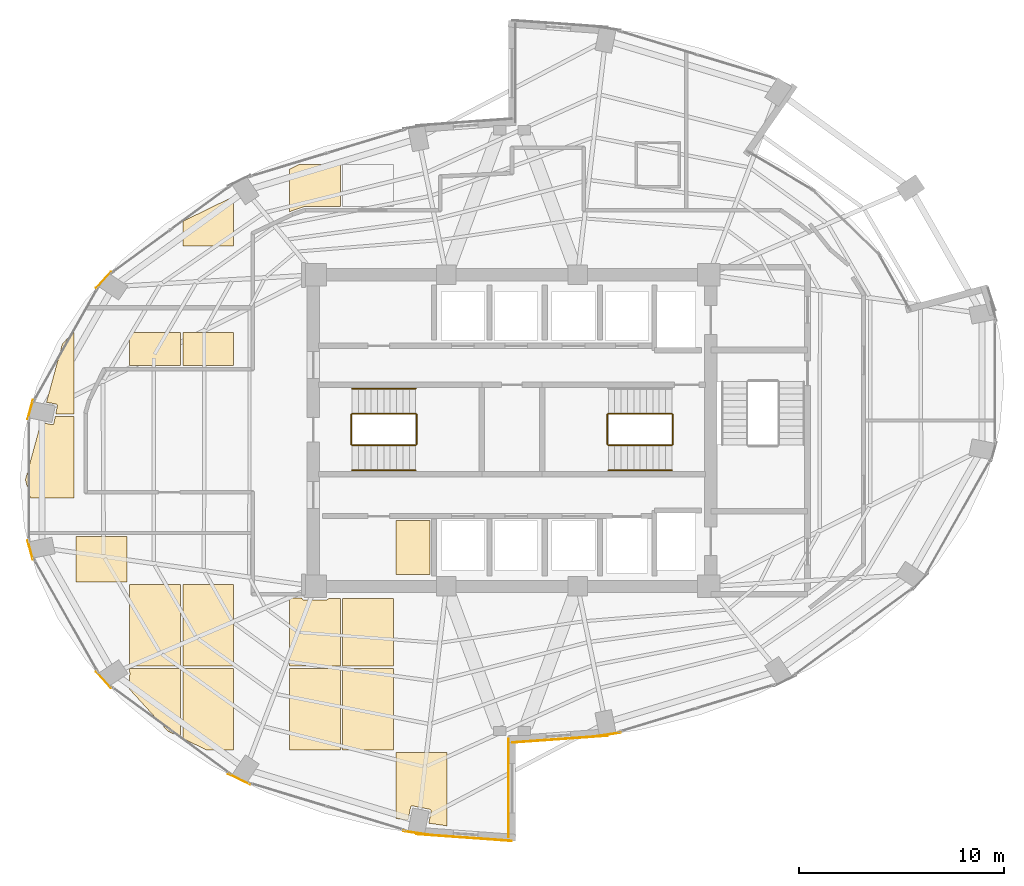
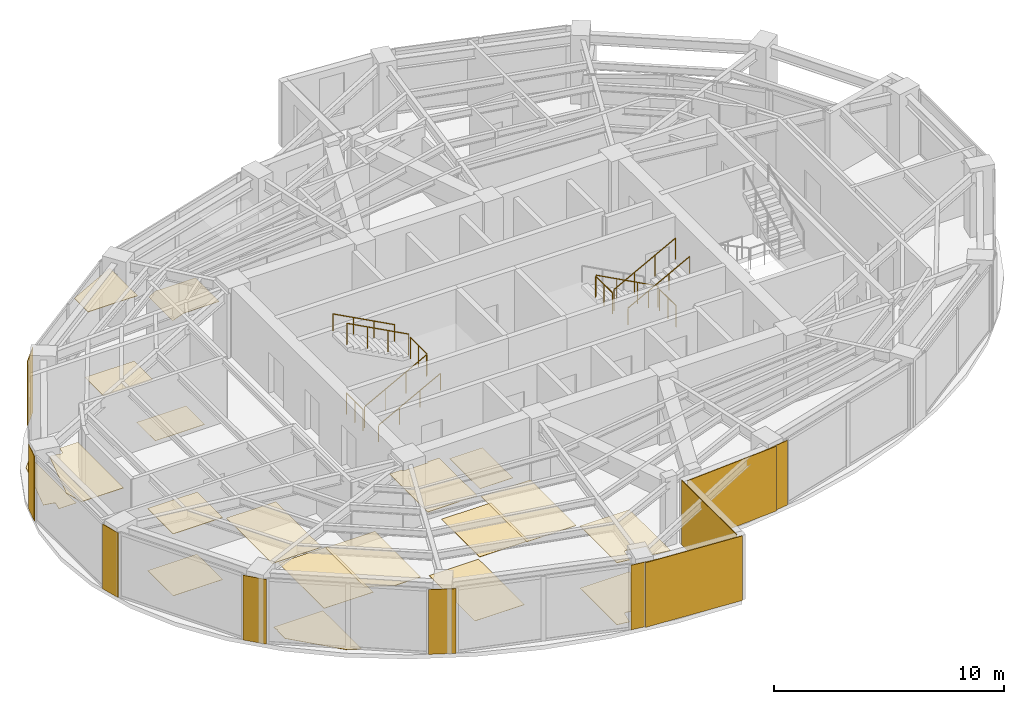
# One storey, part 18 of 19: 29 coverings, 11 railings.
"""IFC4 building model written with IfcOpenShell, lengths in metres."""

from ifc_helpers import new_model, si_unit, direction, frame, origin, origin_2d, place, context, subcontext, project, spatial, polyline, rectangle, circle, outline, extrude, material, layer, layer_set, type_object, element, save


model = new_model("IFC4")

# Units and contexts
model_context = context("Model", 3, precision=1e-05, world=origin(), true_north=direction((0.0, 1.0)))
body_context = subcontext(model_context, "Body", "Model", "MODEL_VIEW")
ifc_project = project(units=[si_unit("LENGTHUNIT", "METRE"), si_unit("AREAUNIT", "SQUARE_METRE"), si_unit("VOLUMEUNIT", "CUBIC_METRE"), si_unit("PLANEANGLEUNIT", "RADIAN"), si_unit("MASSUNIT", "GRAM", prefix="KILO")], contexts=[model_context])

# Site, building, storey
site_placement = place(None, origin())
site = spatial("IfcSite", under=ifc_project, at=site_placement, CompositionType="ELEMENT")
building_placement = place(site_placement, origin())
building = spatial("IfcBuilding", under=site, at=building_placement, Name="Lazwardi Medical Tower", CompositionType="ELEMENT")
storey_placement = place(building_placement, frame((0.0, 0.0, 171.1201171875)))
storey = spatial("IfcBuildingStorey", under=building, at=storey_placement, Name="L44", CompositionType="ELEMENT", Elevation=171.1201171875)

# Coverings
ifc_material_1 = material(Name="Anodised bronze aluminium cassette cladding", Category="aluminium")
ifc_layer_1 = layer(ifc_material_1, 0.030029296875)
ifc_layer_set_1 = layer_set([ifc_layer_1], Name="Anodised bronze aluminium cassette cladding")
covering_type_1 = type_object("IfcCoveringType", Name="COV-CLD-BRZ", PredefinedType="CLADDING", material=ifc_layer_set_1)
covering_1_placement = place(storey_placement, frame((40.67431640625, 13.17578125, 0.0), z_axis=(0.0, 0.0, 1.0), x_axis=(0.989539138138, 0.144264666823, 0.0)))
element("IfcCovering", 1, at=covering_1_placement, inside=storey, type_object=covering_type_1, Name="L44 Mega-column bronze cassette cover M01", PredefinedType="CLADDING", context=body_context, shape_type="SweptSolid", body=[
    extrude(rectangle(XDim=1.28515625, YDim=0.030029296875, at=origin_2d()), origin(), (0.0, 0.0, 1.0), 3.427978515625),
])
covering_2_placement = place(storey_placement, frame((16.07861328125, 35.356689453125, 0.0), z_axis=(0.0, 0.0, 1.0), x_axis=(-0.673714459537, -0.738991763832, 0.0)))
element("IfcCovering", 2, at=covering_2_placement, inside=storey, type_object=covering_type_1, Name="L44 Mega-column bronze cassette cover M11", PredefinedType="CLADDING", context=body_context, shape_type="SweptSolid", body=[
    extrude(rectangle(XDim=1.0693359375, YDim=0.030029296875, at=origin_2d()), origin(), (0.0, 0.0, 1.0), 3.427978515625),
])
for number, where, z_axis, x_axis, name in (
    (3, (12.501220703125, 29.026123046875, 0.0), (0.0, 0.0, 1.0), (-0.261828726257, -0.965114354938, 0.0), "L44 Mega-column bronze cassette cover M12"),
    (4, (12.501220703125, 22.173828125, 0.0), (0.0, 0.0, 1.0), (0.261828726257, -0.965114354938, 0.0), "L44 Mega-column bronze cassette cover M13"),
):
    element("IfcCovering", number, at=place(storey_placement, frame(where, z_axis=z_axis, x_axis=x_axis)), inside=storey, type_object=covering_type_1, Name=name, PredefinedType="CLADDING", context=body_context, shape_type="SweptSolid", body=[
        extrude(rectangle(XDim=0.9658203125, YDim=0.030029296875, at=origin_2d()), origin(), (0.0, 0.0, 1.0), 3.427978515625),
    ])
covering_3_placement = place(storey_placement, frame((16.07861328125, 15.84326171875, 0.0), z_axis=(0.0, 0.0, 1.0), x_axis=(0.673714459537, -0.738991763832, 0.0)))
element("IfcCovering", 5, at=covering_3_placement, inside=storey, type_object=covering_type_1, Name="L44 Mega-column bronze cassette cover M14", PredefinedType="CLADDING", context=body_context, shape_type="SweptSolid", body=[
    extrude(rectangle(XDim=1.0693359375, YDim=0.030029296875, at=origin_2d()), origin(), (0.0, 0.0, 1.0), 3.427978515625),
])
covering_4_placement = place(storey_placement, frame((22.68896484375, 10.998046875, 0.0), z_axis=(0.0, 0.0, 1.0), x_axis=(0.898079014814, -0.439834154144, 0.0)))
element("IfcCovering", 6, at=covering_4_placement, inside=storey, type_object=covering_type_1, Name="L44 Mega-column bronze cassette cover M15", PredefinedType="CLADDING", context=body_context, shape_type="SweptSolid", body=[
    extrude(rectangle(XDim=1.200439453125, YDim=0.030029296875, at=origin_2d()), origin(), (0.0, 0.0, 1.0), 3.427978515625),
])
covering_5_placement = place(storey_placement, frame((31.32568359375, 8.3759765625, 0.0), z_axis=(0.0, 0.0, 1.0), x_axis=(0.989539138138, -0.144264666823, 0.0)))
element("IfcCovering", 7, at=covering_5_placement, inside=storey, type_object=covering_type_1, Name="L44 Mega-column bronze cassette cover M16", PredefinedType="CLADDING", context=body_context, shape_type="SweptSolid", body=[
    extrude(rectangle(XDim=1.28515625, YDim=0.030029296875, at=origin_2d()), origin(), (0.0, 0.0, 1.0), 3.427978515625),
])
ifc_material_2 = material(Name="Turquoise glazed ceramic tilework cladding", Category="masonry")
ifc_layer_2 = layer(ifc_material_2, 0.034912109375)
ifc_layer_set_2 = layer_set([ifc_layer_2], Name="Turquoise glazed ceramic tilework cladding")
covering_type_2 = type_object("IfcCoveringType", Name="COV-CLD-TRQ", PredefinedType="CLADDING", material=ifc_layer_set_2)
covering_6_placement = place(storey_placement, frame((38.338134765625, 12.952392578125, 0.0), z_axis=(0.0, 0.0, 1.0), x_axis=(0.997414510753, 0.071863020663, 0.0)))
element("IfcCovering", 8, at=covering_6_placement, inside=storey, type_object=covering_type_2, Name="L44 Turquoise glazed ceramic tilework cladding", PredefinedType="CLADDING", context=body_context, shape_type="SweptSolid", body=[
    extrude(rectangle(XDim=4.6630859375, YDim=0.034912109375, at=origin_2d()), origin(), (0.0, 0.0, 1.0), 3.427978515625),
])
covering_7_placement = place(storey_placement, frame((33.66162109375, 8.152587890625, 0.0), z_axis=(0.0, 0.0, 1.0), x_axis=(0.997414134466, -0.071868243112, 0.0)))
element("IfcCovering", 9, at=covering_7_placement, inside=storey, type_object=covering_type_2, Name="L44 Turquoise glazed ceramic tilework cladding", PredefinedType="CLADDING", context=body_context, shape_type="SweptSolid", body=[
    extrude(rectangle(XDim=4.66259765625, YDim=0.034912109375, at=origin_2d()), origin(), (0.0, 0.0, 1.0), 3.427978515625),
])
covering_8_placement = place(storey_placement, frame((35.824462890625, 10.56005859375, 0.0), z_axis=(0.0, 0.0, 1.0), x_axis=(0.0, 1.0, 0.0)))
element("IfcCovering", 10, at=covering_8_placement, inside=storey, type_object=covering_type_2, Name="L44 Turquoise glazed ceramic tilework iwan panel", PredefinedType="CLADDING", context=body_context, shape_type="SweptSolid", body=[
    extrude(rectangle(XDim=4.800048828125, YDim=0.034912109375, at=origin_2d()), origin(), (0.0, 0.0, 1.0), 3.427978515625),
])
ifc_material_3 = material(Name="Acoustic mineral fibre tile")
ifc_layer_3 = layer(ifc_material_3, 0.02490234375)
ifc_layer_set_3 = layer_set([ifc_layer_3], Name="Acoustic mineral fibre tile")
covering_type_3 = type_object("IfcCoveringType", Name="COV-CLG-01", PredefinedType="CEILING", material=ifc_layer_set_3)
covering_9_placement = place(storey_placement, frame((0.0, 0.0, 3.282958984375)))
element("IfcCovering", 11, at=covering_9_placement, inside=storey, type_object=covering_type_3, Name="L44 Clinical Acoustic Ceiling 1", PredefinedType="CEILING", context=body_context, shape_type="SweptSolid", body=[
    extrude(outline(polyline([(13.71875, 28.6923828125), (13.65234375, 28.3583984375), (13.650390625, 28.3505859375), (13.647705078125, 28.34326171875), (13.644287109375, 28.336181640625), (13.640380859375, 28.32958984375), (13.635498046875, 28.322998046875), (13.63037109375, 28.3173828125), (13.62451171875, 28.31201171875), (13.6181640625, 28.307373046875), (13.611572265625, 28.30322265625), (13.6044921875, 28.300048828125), (13.596923828125, 28.29736328125), (13.58935546875, 28.29541015625), (13.58154296875, 28.294189453125), (13.57373046875, 28.2939453125), (13.56591796875, 28.294189453125), (13.55810546875, 28.29541015625), (13.02490234375, 28.401611328125), (12.262939453125, 25.60009765625), (12.50439453125, 24.71240234375), (14.622802734375, 24.71240234375), (14.622802734375, 28.6923828125), (13.71875, 28.6923828125)])), origin(), (0.0, 0.0, 1.0), 0.02490234375),
])
covering_10_placement = place(storey_placement, frame((0.0, 0.0, 3.282958984375)))
element("IfcCovering", 12, at=covering_10_placement, inside=storey, type_object=covering_type_3, Name="L44 Clinical Acoustic Ceiling 2", PredefinedType="CEILING", context=body_context, shape_type="SweptSolid", body=[
    extrude(outline(polyline([(17.222900390625, 22.8349609375), (14.742919921875, 22.8349609375), (14.742919921875, 20.612548828125), (17.222900390625, 20.612548828125), (17.222900390625, 22.8349609375)])), origin(), (0.0, 0.0, 1.0), 0.02490234375),
])
covering_11_placement = place(storey_placement, frame((0.0, 0.0, 3.282958984375)))
element("IfcCovering", 13, at=covering_11_placement, inside=storey, type_object=covering_type_3, Name="L44 Clinical Acoustic Ceiling 3", PredefinedType="CEILING", context=body_context, shape_type="SweptSolid", body=[
    extrude(outline(polyline([(19.822998046875, 16.512451171875), (19.822998046875, 20.492431640625), (17.343017578125, 20.492431640625), (17.343017578125, 16.512451171875), (19.822998046875, 16.512451171875)])), origin(), (0.0, 0.0, 1.0), 0.02490234375),
])
covering_12_placement = place(storey_placement, frame((0.0, 0.0, 3.282958984375)))
element("IfcCovering", 14, at=covering_12_placement, inside=storey, type_object=covering_type_3, Name="L44 Clinical Acoustic Ceiling 4", PredefinedType="CEILING", context=body_context, shape_type="SweptSolid", body=[
    extrude(outline(polyline([(17.343017578125, 31.175048828125), (19.822998046875, 31.175048828125), (19.822998046875, 32.79248046875), (17.343017578125, 32.79248046875), (17.343017578125, 31.175048828125)])), origin(), (0.0, 0.0, 1.0), 0.02490234375),
])
covering_13_placement = place(storey_placement, frame((0.0, 0.0, 3.282958984375)))
element("IfcCovering", 15, at=covering_13_placement, inside=storey, type_object=covering_type_3, Name="L44 Clinical Acoustic Ceiling 5", PredefinedType="CEILING", context=body_context, shape_type="SweptSolid", body=[
    extrude(outline(polyline([(19.94287109375, 12.987060546875), (21.118896484375, 12.41259765625), (22.4228515625, 12.41259765625), (22.4228515625, 16.392578125), (19.94287109375, 16.392578125), (19.94287109375, 12.987060546875)])), origin(), (0.0, 0.0, 1.0), 0.02490234375),
])
covering_14_placement = place(storey_placement, frame((0.0, 0.0, 3.282958984375)))
element("IfcCovering", 16, at=covering_14_placement, inside=storey, type_object=covering_type_3, Name="L44 Clinical Acoustic Ceiling 6", PredefinedType="CEILING", context=body_context, shape_type="SweptSolid", body=[
    extrude(outline(polyline([(22.4228515625, 39.4248046875), (19.94287109375, 38.212890625), (19.94287109375, 37.012451171875), (22.4228515625, 37.012451171875), (22.4228515625, 39.4248046875)])), origin(), (0.0, 0.0, 1.0), 0.02490234375),
])
covering_15_placement = place(storey_placement, frame((0.0, 0.0, 3.282958984375)))
element("IfcCovering", 17, at=covering_15_placement, inside=storey, type_object=covering_type_3, Name="L44 Clinical Acoustic Ceiling 7", PredefinedType="CEILING", context=body_context, shape_type="SweptSolid", body=[
    extrude(outline(polyline([(27.622802734375, 19.820068359375), (27.04931640625, 19.820068359375), (27.048583984375, 19.814453125), (27.046630859375, 19.806884765625), (27.0439453125, 19.79931640625), (27.04052734375, 19.792236328125), (27.03662109375, 19.78564453125), (27.03173828125, 19.779296875), (27.026611328125, 19.7734375), (27.020751953125, 19.768310546875), (27.014404296875, 19.763427734375), (27.0078125, 19.759521484375), (27.00048828125, 19.756103515625), (26.9931640625, 19.75341796875), (26.985595703125, 19.75146484375), (26.977783203125, 19.75048828125), (26.969970703125, 19.75), (25.830078125, 19.75), (25.822265625, 19.75048828125), (25.814453125, 19.75146484375), (25.806884765625, 19.75341796875), (25.79931640625, 19.756103515625), (25.792236328125, 19.759521484375), (25.78564453125, 19.763427734375), (25.779296875, 19.768310546875), (25.7734375, 19.7734375), (25.768310546875, 19.779296875), (25.763427734375, 19.78564453125), (25.759521484375, 19.792236328125), (25.756103515625, 19.79931640625), (25.75341796875, 19.806884765625), (25.75146484375, 19.814453125), (25.75048828125, 19.822265625), (25.75, 19.830078125), (25.75, 19.844970703125), (25.142822265625, 19.844970703125), (25.142822265625, 16.512451171875), (27.622802734375, 16.512451171875), (27.622802734375, 19.820068359375)])), origin(), (0.0, 0.0, 1.0), 0.02490234375),
])
covering_16_placement = place(storey_placement, frame((0.0, 0.0, 3.282958984375)))
element("IfcCovering", 18, at=covering_16_placement, inside=storey, type_object=covering_type_3, Name="L44 Clinical Acoustic Ceiling 8", PredefinedType="CEILING", context=body_context, shape_type="SweptSolid", body=[
    extrude(outline(polyline([(30.222900390625, 12.41259765625), (30.222900390625, 16.392578125), (27.742919921875, 16.392578125), (27.742919921875, 12.41259765625), (30.222900390625, 12.41259765625)])), origin(), (0.0, 0.0, 1.0), 0.02490234375),
])
covering_17_placement = place(storey_placement, frame((0.0, 0.0, 3.282958984375)))
element("IfcCovering", 19, at=covering_17_placement, inside=storey, type_object=covering_type_3, Name="L44 Clinical Acoustic Ceiling 10", PredefinedType="CEILING", context=body_context, shape_type="SweptSolid", body=[
    extrude(outline(polyline([(30.343017578125, 9.083740234375), (30.92919921875, 8.99853515625), (31.0556640625, 9.63427734375), (31.0576171875, 9.641845703125), (31.060302734375, 9.6494140625), (31.0634765625, 9.656494140625), (31.067626953125, 9.6630859375), (31.072265625, 9.66943359375), (31.077392578125, 9.67529296875), (31.083251953125, 9.680419921875), (31.089599609375, 9.685302734375), (31.096435546875, 9.689208984375), (31.103515625, 9.692626953125), (31.11083984375, 9.6953125), (31.118408203125, 9.697265625), (31.126220703125, 9.6982421875), (31.134033203125, 9.69873046875), (31.141845703125, 9.6982421875), (31.149658203125, 9.697265625), (31.9931640625, 9.529296875), (32.000732421875, 9.527587890625), (32.00830078125, 9.52490234375), (32.015380859375, 9.521484375), (32.02197265625, 9.517333984375), (32.0283203125, 9.5126953125), (32.0341796875, 9.507568359375), (32.039306640625, 9.501708984375), (32.044189453125, 9.495361328125), (32.048095703125, 9.488525390625), (32.051513671875, 9.4814453125), (32.05419921875, 9.47412109375), (32.05615234375, 9.466552734375), (32.05712890625, 9.458740234375), (32.0576171875, 9.450927734375), (32.05712890625, 9.443115234375), (32.05615234375, 9.435302734375), (31.93994140625, 8.851318359375), (32.822998046875, 8.722900390625), (32.822998046875, 12.29248046875), (30.343017578125, 12.29248046875), (30.343017578125, 9.083740234375)])), origin(), (0.0, 0.0, 1.0), 0.02490234375),
])
ifc_material_4 = material(Name="Anti-static hospital vinyl sheet flooring")
ifc_layer_4 = layer(ifc_material_4, 0.014892578125)
ifc_layer_set_4 = layer_set([ifc_layer_4], Name="Anti-static hospital vinyl sheet flooring")
covering_type_4 = type_object("IfcCoveringType", Name="COV-FLR-01", PredefinedType="FLOORING", material=ifc_layer_set_4)
covering_18_placement = place(storey_placement, origin())
element("IfcCovering", 20, at=covering_18_placement, inside=storey, type_object=covering_type_4, Name="L44 Clinical Vinyl Flooring 1", PredefinedType="FLOORING", context=body_context, shape_type="SweptSolid", body=[
    extrude(outline(polyline([(14.582275390625, 32.79248046875), (14.065185546875, 32.2265625), (13.293212890625, 29.38818359375), (13.757080078125, 29.2958984375), (13.764892578125, 29.2939453125), (13.772216796875, 29.291259765625), (13.779296875, 29.2880859375), (13.785888671875, 29.283935546875), (13.79248046875, 29.279296875), (13.798095703125, 29.27392578125), (13.803466796875, 29.268310546875), (13.80810546875, 29.26171875), (13.812255859375, 29.255126953125), (13.8154296875, 29.248046875), (13.818115234375, 29.240478515625), (13.820068359375, 29.23291015625), (13.8212890625, 29.22509765625), (13.821533203125, 29.21728515625), (13.8212890625, 29.209716796875), (13.820068359375, 29.201904296875), (13.74267578125, 28.8125), (14.622802734375, 28.8125), (14.622802734375, 32.79248046875), (14.582275390625, 32.79248046875)])), origin(), (0.0, 0.0, 1.0), 0.014892578125),
])
covering_19_placement = place(storey_placement, origin())
element("IfcCovering", 21, at=covering_19_placement, inside=storey, type_object=covering_type_4, Name="L44 Clinical Vinyl Flooring 2", PredefinedType="FLOORING", context=body_context, shape_type="SweptSolid", body=[
    extrude(outline(polyline([(17.222900390625, 22.8349609375), (14.742919921875, 22.8349609375), (14.742919921875, 20.612548828125), (17.222900390625, 20.612548828125), (17.222900390625, 22.8349609375)])), origin(), (0.0, 0.0, 1.0), 0.014892578125),
])
covering_20_placement = place(storey_placement, origin())
element("IfcCovering", 22, at=covering_20_placement, inside=storey, type_object=covering_type_4, Name="L44 Clinical Vinyl Flooring 3", PredefinedType="FLOORING", context=body_context, shape_type="SweptSolid", body=[
    extrude(outline(polyline([(17.343017578125, 16.218994140625), (17.364501953125, 16.1865234375), (17.36865234375, 16.179931640625), (17.371826171875, 16.1728515625), (17.37451171875, 16.165283203125), (17.37646484375, 16.15771484375), (17.377685546875, 16.14990234375), (17.3779296875, 16.14208984375), (17.377685546875, 16.134521484375), (17.37646484375, 16.126708984375), (17.37451171875, 16.118896484375), (17.371826171875, 16.111572265625), (17.36865234375, 16.1044921875), (17.364501953125, 16.097900390625), (17.35986328125, 16.091552734375), (17.3544921875, 16.085693359375), (17.348876953125, 16.080322265625), (17.343017578125, 16.075927734375), (17.343017578125, 15.385986328125), (19.20556640625, 13.347412109375), (19.822998046875, 13.045654296875), (19.822998046875, 16.392578125), (17.343017578125, 16.392578125), (17.343017578125, 16.218994140625)])), origin(), (0.0, 0.0, 1.0), 0.014892578125),
])
covering_21_placement = place(storey_placement, origin())
element("IfcCovering", 23, at=covering_21_placement, inside=storey, type_object=covering_type_4, Name="L44 Clinical Vinyl Flooring 4", PredefinedType="FLOORING", context=body_context, shape_type="SweptSolid", body=[
    extrude(outline(polyline([(22.4228515625, 16.512451171875), (22.4228515625, 20.492431640625), (19.94287109375, 20.492431640625), (19.94287109375, 16.512451171875), (22.4228515625, 16.512451171875)])), origin(), (0.0, 0.0, 1.0), 0.014892578125),
])
covering_22_placement = place(storey_placement, origin())
element("IfcCovering", 24, at=covering_22_placement, inside=storey, type_object=covering_type_4, Name="L44 Clinical Vinyl Flooring 5", PredefinedType="FLOORING", context=body_context, shape_type="SweptSolid", body=[
    extrude(outline(polyline([(19.94287109375, 31.175048828125), (22.4228515625, 31.175048828125), (22.4228515625, 32.79248046875), (19.94287109375, 32.79248046875), (19.94287109375, 31.175048828125)])), origin(), (0.0, 0.0, 1.0), 0.014892578125),
])
covering_23_placement = place(storey_placement, origin())
element("IfcCovering", 25, at=covering_23_placement, inside=storey, type_object=covering_type_4, Name="L44 Clinical Vinyl Flooring 6", PredefinedType="FLOORING", context=body_context, shape_type="SweptSolid", body=[
    extrude(outline(polyline([(27.622802734375, 12.41259765625), (27.622802734375, 16.392578125), (25.142822265625, 16.392578125), (25.142822265625, 12.41259765625), (27.622802734375, 12.41259765625)])), origin(), (0.0, 0.0, 1.0), 0.014892578125),
])
covering_24_placement = place(storey_placement, origin())
element("IfcCovering", 26, at=covering_24_placement, inside=storey, type_object=covering_type_4, Name="L44 Clinical Vinyl Flooring 7", PredefinedType="FLOORING", context=body_context, shape_type="SweptSolid", body=[
    extrude(outline(polyline([(25.631103515625, 40.992431640625), (25.142822265625, 40.75390625), (25.142822265625, 38.666015625), (25.245849609375, 38.714111328125), (25.24951171875, 38.7158203125), (25.2587890625, 38.719482421875), (25.262939453125, 38.72119140625), (25.825439453125, 38.915283203125), (25.82958984375, 38.916748046875), (25.83984375, 38.919677734375), (25.848876953125, 38.921630859375), (25.859130859375, 38.92333984375), (25.867431640625, 38.92431640625), (25.8779296875, 38.9248046875), (25.882568359375, 38.925048828125), (27.622802734375, 38.925048828125), (27.622802734375, 40.992431640625), (25.631103515625, 40.992431640625)])), origin(), (0.0, 0.0, 1.0), 0.014892578125),
])
covering_25_placement = place(storey_placement, origin())
element("IfcCovering", 27, at=covering_25_placement, inside=storey, type_object=covering_type_4, Name="L44 Clinical Vinyl Flooring 8", PredefinedType="FLOORING", context=body_context, shape_type="SweptSolid", body=[
    extrude(outline(polyline([(30.222900390625, 19.820068359375), (27.742919921875, 19.820068359375), (27.742919921875, 16.512451171875), (30.222900390625, 16.512451171875), (30.222900390625, 19.820068359375)])), origin(), (0.0, 0.0, 1.0), 0.014892578125),
])
covering_26_placement = place(storey_placement, origin())
element("IfcCovering", 28, at=covering_26_placement, inside=storey, type_object=covering_type_4, Name="L44 Clinical Vinyl Flooring 9", PredefinedType="FLOORING", context=body_context, shape_type="SweptSolid", body=[
    extrude(outline(polyline([(30.343017578125, 9.083740234375), (30.92919921875, 8.99853515625), (31.0556640625, 9.63427734375), (31.0576171875, 9.641845703125), (31.060302734375, 9.6494140625), (31.0634765625, 9.656494140625), (31.067626953125, 9.6630859375), (31.072265625, 9.66943359375), (31.077392578125, 9.67529296875), (31.083251953125, 9.680419921875), (31.089599609375, 9.685302734375), (31.096435546875, 9.689208984375), (31.103515625, 9.692626953125), (31.11083984375, 9.6953125), (31.118408203125, 9.697265625), (31.126220703125, 9.6982421875), (31.134033203125, 9.69873046875), (31.141845703125, 9.6982421875), (31.149658203125, 9.697265625), (31.9931640625, 9.529296875), (32.000732421875, 9.527587890625), (32.00830078125, 9.52490234375), (32.015380859375, 9.521484375), (32.02197265625, 9.517333984375), (32.0283203125, 9.5126953125), (32.0341796875, 9.507568359375), (32.039306640625, 9.501708984375), (32.044189453125, 9.495361328125), (32.048095703125, 9.488525390625), (32.051513671875, 9.4814453125), (32.05419921875, 9.47412109375), (32.05615234375, 9.466552734375), (32.05712890625, 9.458740234375), (32.0576171875, 9.450927734375), (32.05712890625, 9.443115234375), (32.05615234375, 9.435302734375), (31.93994140625, 8.851318359375), (32.822998046875, 8.722900390625), (32.822998046875, 12.29248046875), (30.343017578125, 12.29248046875), (30.343017578125, 9.083740234375)])), origin(), (0.0, 0.0, 1.0), 0.014892578125),
])
covering_27_placement = place(storey_placement, origin())
element("IfcCovering", 29, at=covering_27_placement, inside=storey, type_object=covering_type_4, Name="L44 Clinical Vinyl Flooring 10", PredefinedType="FLOORING", context=body_context, shape_type="SweptSolid", body=[
    extrude(outline(polyline([(30.343017578125, 20.97998046875), (31.989990234375, 20.97998046875), (31.989990234375, 23.6201171875), (30.343017578125, 23.6201171875), (30.343017578125, 20.97998046875)])), origin(), (0.0, 0.0, 1.0), 0.014892578125),
])

# Railings
ifc_material_5 = material(Name="Stainless steel Grade 316", Category="steel")
railing_type_1 = type_object("IfcRailingType", Name="RLG-GRD-1150", PredefinedType="GUARDRAIL", material=ifc_material_5)
railing_1_placement = place(storey_placement, frame((28.199951171875, 27.2900390625, 0.165771484375)))
element("IfcRailing", 30, at=railing_1_placement, inside=storey, type_object=railing_type_1, Name="L44 ST1 stair guard 1", PredefinedType="GUARDRAIL", context=body_context, shape_type="SweptSolid", body=[
    extrude(circle(Radius=0.02392578125, at=origin_2d()), frame((0.0, 0.0, 1.1259765625), z_axis=(0.881783298633, 0.0, 0.471654761719), x_axis=(0.0, 1.0, 0.0)), (0.0, 0.0, 1.0), 3.515625),
    extrude(circle(Radius=0.02099609375, at=origin_2d()), origin(), (0.0, 0.0, 1.0), 1.099853515625),
    extrude(circle(Radius=0.02099609375, at=origin_2d()), frame((1.033447265625, 0.0, 0.552734375)), (0.0, 0.0, 1.0), 1.099853515625),
    extrude(circle(Radius=0.02099609375, at=origin_2d()), frame((2.066650390625, 0.0, 1.10546875)), (0.0, 0.0, 1.0), 1.099853515625),
    extrude(circle(Radius=0.02099609375, at=origin_2d()), frame((3.10009765625, 0.0, 1.658203125)), (0.0, 0.0, 1.0), 1.099853515625),
])
railing_2_placement = place(storey_placement, frame((31.35009765625, 27.340087890625, 1.823974609375)))
element("IfcRailing", 31, at=railing_2_placement, inside=storey, type_object=railing_type_1, Name="L44 ST1 stair guard 2", PredefinedType="GUARDRAIL", context=body_context, shape_type="SweptSolid", body=[
    extrude(circle(Radius=0.02392578125, at=origin_2d()), frame((0.0, 0.0, 1.1259765625), z_axis=(0.0, 1.0, 0.0), x_axis=(-1.0, 0.0, 0.0)), (0.0, 0.0, 1.0), 1.43994140625),
    extrude(circle(Radius=0.02099609375, at=origin_2d()), origin(), (0.0, 0.0, 1.0), 1.099853515625),
    extrude(circle(Radius=0.02099609375, at=origin_2d()), frame((0.0, 0.719970703125, 0.0)), (0.0, 0.0, 1.0), 1.099853515625),
    extrude(circle(Radius=0.02099609375, at=origin_2d()), frame((0.0, 1.43994140625, 0.0)), (0.0, 0.0, 1.0), 1.099853515625),
])
railing_3_placement = place(storey_placement, frame((31.300048828125, 28.830078125, 1.98974609375)))
element("IfcRailing", 32, at=railing_3_placement, inside=storey, type_object=railing_type_1, Name="L44 ST1 stair guard 3", PredefinedType="GUARDRAIL", context=body_context, shape_type="SweptSolid", body=[
    extrude(circle(Radius=0.02392578125, at=origin_2d()), frame((0.0, 0.0, 1.1259765625), z_axis=(-0.881783298633, 0.0, 0.471654761719), x_axis=(0.0, -1.0, 0.0)), (0.0, 0.0, 1.0), 3.515625),
    extrude(circle(Radius=0.02099609375, at=origin_2d()), origin(), (0.0, 0.0, 1.0), 1.099853515625),
    extrude(circle(Radius=0.02099609375, at=origin_2d()), frame((-1.033447265625, 0.0, 0.552734375)), (0.0, 0.0, 1.0), 1.099853515625),
    extrude(circle(Radius=0.02099609375, at=origin_2d()), frame((-2.066650390625, 0.0, 1.10546875)), (0.0, 0.0, 1.0), 1.099853515625),
    extrude(circle(Radius=0.02099609375, at=origin_2d()), frame((-3.10009765625, 0.0, 1.658203125)), (0.0, 0.0, 1.0), 1.099853515625),
])
railing_4_placement = place(storey_placement, frame((28.14990234375, 27.340087890625, 0.0)))
element("IfcRailing", 33, at=railing_4_placement, inside=storey, type_object=railing_type_1, Name="L44 ST1 stair guard 4", PredefinedType="GUARDRAIL", context=body_context, shape_type="SweptSolid", body=[
    extrude(circle(Radius=0.02392578125, at=origin_2d()), frame((0.0, 0.0, 1.1259765625), z_axis=(0.0, 1.0, 0.0), x_axis=(-1.0, 0.0, 0.0)), (0.0, 0.0, 1.0), 1.43994140625),
    extrude(circle(Radius=0.02099609375, at=origin_2d()), origin(), (0.0, 0.0, 1.0), 1.099853515625),
    extrude(circle(Radius=0.02099609375, at=origin_2d()), frame((0.0, 0.719970703125, 0.0)), (0.0, 0.0, 1.0), 1.099853515625),
    extrude(circle(Radius=0.02099609375, at=origin_2d()), frame((0.0, 1.43994140625, 0.0)), (0.0, 0.0, 1.0), 1.099853515625),
])
railing_5_placement = place(storey_placement, frame((43.800048828125, 28.830078125, 0.165771484375)))
element("IfcRailing", 34, at=railing_5_placement, inside=storey, type_object=railing_type_1, Name="L44 ST2 stair guard 1", PredefinedType="GUARDRAIL", context=body_context, shape_type="SweptSolid", body=[
    extrude(circle(Radius=0.02392578125, at=origin_2d()), frame((0.0, 0.0, 1.1259765625), z_axis=(-0.881783298633, 0.0, 0.471654761719), x_axis=(0.0, -1.0, 0.0)), (0.0, 0.0, 1.0), 3.515625),
    extrude(circle(Radius=0.02099609375, at=origin_2d()), origin(), (0.0, 0.0, 1.0), 1.099853515625),
    extrude(circle(Radius=0.02099609375, at=origin_2d()), frame((-1.033447265625, 0.0, 0.552734375)), (0.0, 0.0, 1.0), 1.099853515625),
    extrude(circle(Radius=0.02099609375, at=origin_2d()), frame((-2.066650390625, 0.0, 1.10546875)), (0.0, 0.0, 1.0), 1.099853515625),
    extrude(circle(Radius=0.02099609375, at=origin_2d()), frame((-3.10009765625, 0.0, 1.658203125)), (0.0, 0.0, 1.0), 1.099853515625),
])
railing_6_placement = place(storey_placement, frame((40.64990234375, 28.780029296875, 1.823974609375)))
element("IfcRailing", 35, at=railing_6_placement, inside=storey, type_object=railing_type_1, Name="L44 ST2 stair guard 2", PredefinedType="GUARDRAIL", context=body_context, shape_type="SweptSolid", body=[
    extrude(circle(Radius=0.02392578125, at=origin_2d()), frame((0.0, 0.0, 1.1259765625), z_axis=(0.0, -1.0, 0.0), x_axis=(1.0, 0.0, 0.0)), (0.0, 0.0, 1.0), 1.43994140625),
    extrude(circle(Radius=0.02099609375, at=origin_2d()), origin(), (0.0, 0.0, 1.0), 1.099853515625),
    extrude(circle(Radius=0.02099609375, at=origin_2d()), frame((0.0, -0.719970703125, 0.0)), (0.0, 0.0, 1.0), 1.099853515625),
    extrude(circle(Radius=0.02099609375, at=origin_2d()), frame((0.0, -1.43994140625, 0.0)), (0.0, 0.0, 1.0), 1.099853515625),
])
railing_7_placement = place(storey_placement, frame((40.699951171875, 27.2900390625, 1.98974609375)))
element("IfcRailing", 36, at=railing_7_placement, inside=storey, type_object=railing_type_1, Name="L44 ST2 stair guard 3", PredefinedType="GUARDRAIL", context=body_context, shape_type="SweptSolid", body=[
    extrude(circle(Radius=0.02392578125, at=origin_2d()), frame((0.0, 0.0, 1.1259765625), z_axis=(0.881783298633, 0.0, 0.471654761719), x_axis=(0.0, 1.0, 0.0)), (0.0, 0.0, 1.0), 3.515625),
    extrude(circle(Radius=0.02099609375, at=origin_2d()), origin(), (0.0, 0.0, 1.0), 1.099853515625),
    extrude(circle(Radius=0.02099609375, at=origin_2d()), frame((1.033447265625, 0.0, 0.552734375)), (0.0, 0.0, 1.0), 1.099853515625),
    extrude(circle(Radius=0.02099609375, at=origin_2d()), frame((2.066650390625, 0.0, 1.10546875)), (0.0, 0.0, 1.0), 1.099853515625),
    extrude(circle(Radius=0.02099609375, at=origin_2d()), frame((3.10009765625, 0.0, 1.658203125)), (0.0, 0.0, 1.0), 1.099853515625),
])
railing_8_placement = place(storey_placement, frame((43.85009765625, 28.780029296875, 0.0)))
element("IfcRailing", 37, at=railing_8_placement, inside=storey, type_object=railing_type_1, Name="L44 ST2 stair guard 4", PredefinedType="GUARDRAIL", context=body_context, shape_type="SweptSolid", body=[
    extrude(circle(Radius=0.02392578125, at=origin_2d()), frame((0.0, 0.0, 1.1259765625), z_axis=(0.0, -1.0, 0.0), x_axis=(1.0, 0.0, 0.0)), (0.0, 0.0, 1.0), 1.43994140625),
    extrude(circle(Radius=0.02099609375, at=origin_2d()), origin(), (0.0, 0.0, 1.0), 1.099853515625),
    extrude(circle(Radius=0.02099609375, at=origin_2d()), frame((0.0, -0.719970703125, 0.0)), (0.0, 0.0, 1.0), 1.099853515625),
    extrude(circle(Radius=0.02099609375, at=origin_2d()), frame((0.0, -1.43994140625, 0.0)), (0.0, 0.0, 1.0), 1.099853515625),
])
railing_type_2 = type_object("IfcRailingType", Name="RLG-HND-920", PredefinedType="HANDRAIL", material=ifc_material_5)
railing_9_placement = place(storey_placement, frame((28.199951171875, 26.070068359375, 0.165771484375)))
element("IfcRailing", 38, at=railing_9_placement, inside=storey, type_object=railing_type_2, Name="L44 ST1 stair handrail 1", PredefinedType="HANDRAIL", context=body_context, shape_type="SweptSolid", body=[
    extrude(circle(Radius=0.02392578125, at=origin_2d()), frame((0.0, 0.0, 0.8857421875), z_axis=(0.881783298633, 0.0, 0.471654761719), x_axis=(0.0, 1.0, 0.0)), (0.0, 0.0, 1.0), 3.515625),
    extrude(circle(Radius=0.02099609375, at=origin_2d()), origin(), (0.0, 0.0, 1.0), 0.85986328125),
    extrude(circle(Radius=0.02099609375, at=origin_2d()), frame((1.033447265625, 0.0, 0.552734375)), (0.0, 0.0, 1.0), 0.85986328125),
    extrude(circle(Radius=0.02099609375, at=origin_2d()), frame((2.066650390625, 0.0, 1.10546875)), (0.0, 0.0, 1.0), 0.85986328125),
    extrude(circle(Radius=0.02099609375, at=origin_2d()), frame((3.10009765625, 0.0, 1.658203125)), (0.0, 0.0, 1.0), 0.85986328125),
])
railing_10_placement = place(storey_placement, frame((31.300048828125, 30.050048828125, 1.98974609375)))
element("IfcRailing", 39, at=railing_10_placement, inside=storey, type_object=railing_type_2, Name="L44 ST1 stair handrail 2", PredefinedType="HANDRAIL", context=body_context, shape_type="SweptSolid", body=[
    extrude(circle(Radius=0.02392578125, at=origin_2d()), frame((0.0, 0.0, 0.8857421875), z_axis=(-0.881783298633, 0.0, 0.471654761719), x_axis=(0.0, -1.0, 0.0)), (0.0, 0.0, 1.0), 3.515625),
    extrude(circle(Radius=0.02099609375, at=origin_2d()), origin(), (0.0, 0.0, 1.0), 0.85986328125),
    extrude(circle(Radius=0.02099609375, at=origin_2d()), frame((-1.033447265625, 0.0, 0.552734375)), (0.0, 0.0, 1.0), 0.85986328125),
    extrude(circle(Radius=0.02099609375, at=origin_2d()), frame((-2.066650390625, 0.0, 1.10546875)), (0.0, 0.0, 1.0), 0.85986328125),
    extrude(circle(Radius=0.02099609375, at=origin_2d()), frame((-3.10009765625, 0.0, 1.658203125)), (0.0, 0.0, 1.0), 0.85986328125),
])
railing_11_placement = place(storey_placement, frame((40.699951171875, 26.070068359375, 1.98974609375)))
element("IfcRailing", 40, at=railing_11_placement, inside=storey, type_object=railing_type_2, Name="L44 ST2 stair handrail 2", PredefinedType="HANDRAIL", context=body_context, shape_type="SweptSolid", body=[
    extrude(circle(Radius=0.02392578125, at=origin_2d()), frame((0.0, 0.0, 0.8857421875), z_axis=(0.881783298633, 0.0, 0.471654761719), x_axis=(0.0, 1.0, 0.0)), (0.0, 0.0, 1.0), 3.515625),
    extrude(circle(Radius=0.02099609375, at=origin_2d()), origin(), (0.0, 0.0, 1.0), 0.85986328125),
    extrude(circle(Radius=0.02099609375, at=origin_2d()), frame((1.033447265625, 0.0, 0.552734375)), (0.0, 0.0, 1.0), 0.85986328125),
    extrude(circle(Radius=0.02099609375, at=origin_2d()), frame((2.066650390625, 0.0, 1.10546875)), (0.0, 0.0, 1.0), 0.85986328125),
    extrude(circle(Radius=0.02099609375, at=origin_2d()), frame((3.10009765625, 0.0, 1.658203125)), (0.0, 0.0, 1.0), 0.85986328125),
])

save(model, "model.ifc")
